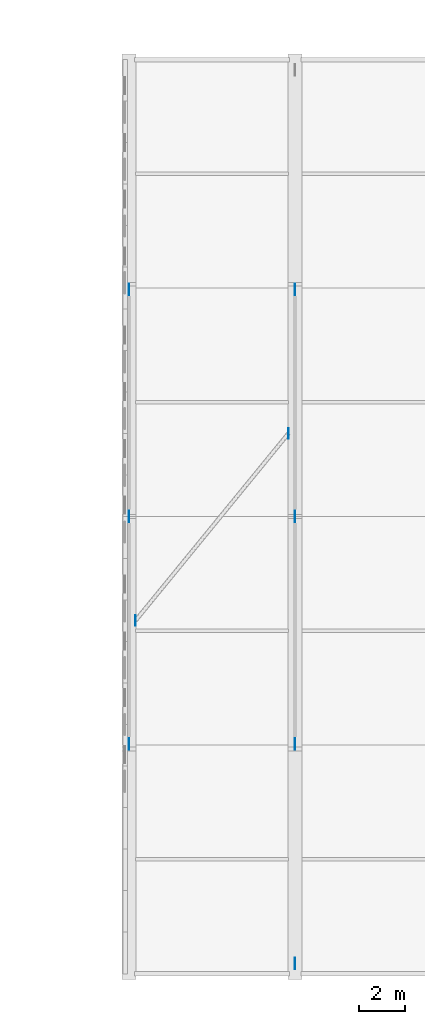
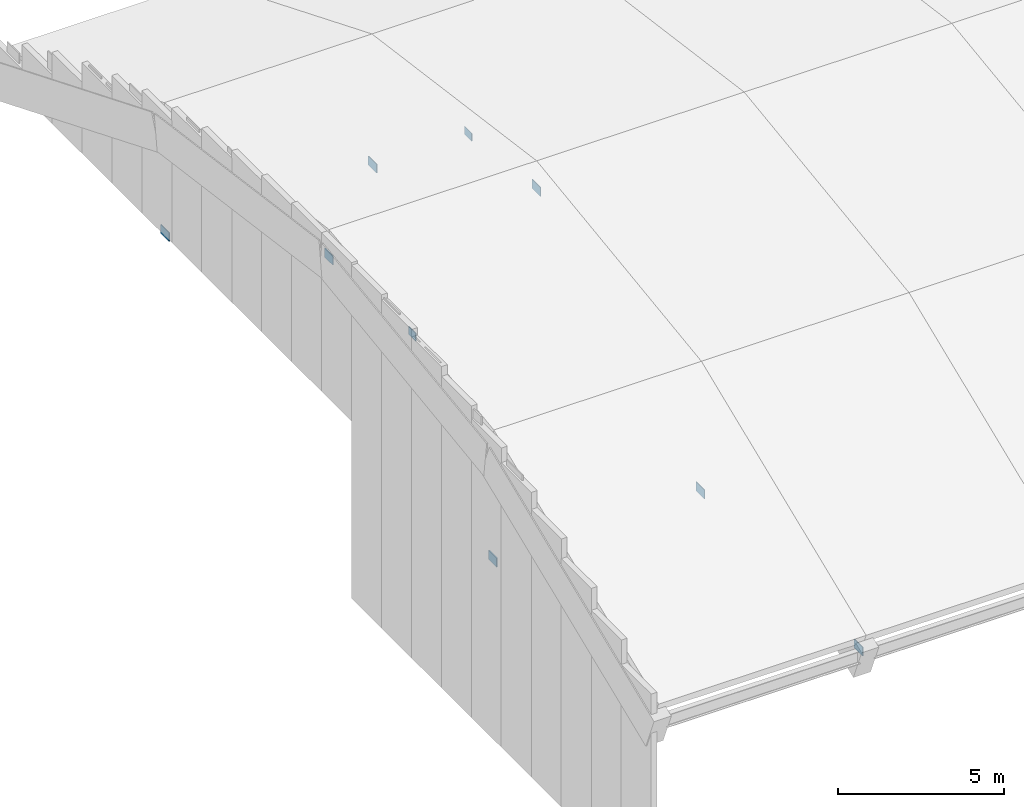
# One storey, part 13 of 22: 9 plates.
"""IFC4 building model written with IfcOpenShell, lengths in metres."""

import ifcopenshell
import ifcopenshell.guid

model = None  # the IFC model being written
_history = None  # IfcOwnerHistory: only IFC2X3 demands one
_inside = {}  # id of a spatial element -> (the spatial element, [elements in it])
_under = {}  # id of a project, library or spatial element -> (it, [spatial elements below it])
_declared = {}  # id of a project -> (the project, [libraries it declares])
_typed = {}  # id of a type object -> (the type object, [elements of that type])
_made_of = {}  # id of a material, layer set ... -> (it, [elements and type objects made of it])


def new_model(schema):
    """Start an empty IFC model of exactly this schema.

    Asked for "IFC4X3", IfcOpenShell would pick the latest addendum, in which some entities
    have other attributes; the version numbers below select the first issue.
    IFC2X3 requires an IfcOwnerHistory on every rooted entity: one is made here for all.
    """
    global model, _history
    if schema == "IFC4X3":
        model = ifcopenshell.file(schema_version=(4, 3, 0, 0))
    else:
        model = ifcopenshell.file(schema=schema)
    _inside.clear()
    _under.clear()
    _declared.clear()
    _typed.clear()
    _made_of.clear()
    _history = None
    if model.schema == "IFC2X3":
        org = make("IfcOrganization", Name="unknown")
        user = make(
            "IfcPersonAndOrganization",
            ThePerson=make("IfcPerson", FamilyName="unknown"),
            TheOrganization=org,
        )
        app = make(
            "IfcApplication",
            ApplicationDeveloper=org,
            Version="unknown",
            ApplicationFullName="unknown",
            ApplicationIdentifier="unknown",
        )
        _history = make(
            "IfcOwnerHistory",
            OwningUser=user,
            OwningApplication=app,
            ChangeAction="ADDED",
            CreationDate=0,
        )
    return model


def make(cls, **values):
    """One entity of the class cls with the attributes given. An attribute that is None is left unset."""
    return model.create_entity(
        cls, **{name: value for name, value in values.items() if value is not None}
    )


def rooted(cls, **values):
    """An entity with a GlobalId (a new one), such as an element, a storey or a relation."""
    return make(cls, GlobalId=ifcopenshell.guid.new(), OwnerHistory=_history, **values)


def si_unit(unit_type, name, prefix=None):
    """IfcSIUnit, for example si_unit("LENGTHUNIT", "METRE", prefix="MILLI")."""
    return make("IfcSIUnit", UnitType=unit_type, Prefix=prefix, Name=name)


def assignment(units):
    """IfcUnitAssignment: the units of a project."""
    return None if units is None else make("IfcUnitAssignment", Units=units)


def point(xyz):
    """IfcCartesianPoint."""
    return None if xyz is None else make("IfcCartesianPoint", Coordinates=xyz)


def direction(xyz):
    """IfcDirection."""
    return None if xyz is None else make("IfcDirection", DirectionRatios=xyz)


def frame(location, z_axis=None, x_axis=None):
    """IfcAxis2Placement3D, a coordinate frame: its origin and axes. An axis left out is left unset."""
    return make(
        "IfcAxis2Placement3D",
        Location=point(location),
        Axis=direction(z_axis),
        RefDirection=direction(x_axis),
    )


def frame_2d(location, x_axis=None):
    """IfcAxis2Placement2D, a coordinate frame in the plane: its origin and x axis."""
    return make(
        "IfcAxis2Placement2D", Location=point(location), RefDirection=direction(x_axis)
    )


def origin():
    """The frame at (0, 0, 0) with its axes left unset."""
    return frame((0.0, 0.0, 0.0))


def origin_2d():
    """The frame at (0, 0) in the plane with its x axis left unset."""
    return frame_2d((0.0, 0.0))


def place(relative_to, where):
    """IfcLocalPlacement: puts the frame where relative to a parent placement (None: the world)."""
    return make(
        "IfcLocalPlacement", PlacementRelTo=relative_to, RelativePlacement=where
    )


def context(
    kind, dimensions, precision=None, world=None, true_north=None, identifier=None
):
    """IfcGeometricRepresentationContext, for example the 3D "Model" context."""
    return make(
        "IfcGeometricRepresentationContext",
        ContextIdentifier=identifier,
        ContextType=kind,
        CoordinateSpaceDimension=dimensions,
        Precision=precision,
        WorldCoordinateSystem=world,
        TrueNorth=true_north,
    )


def subcontext(parent, identifier, kind, view, scale=None):
    """IfcGeometricRepresentationSubContext, for example "Body" below "Model"."""
    return make(
        "IfcGeometricRepresentationSubContext",
        ContextIdentifier=identifier,
        ContextType=kind,
        ParentContext=parent,
        TargetScale=scale,
        TargetView=view,
    )


def project(units=None, contexts=None):
    """IfcProject with its units and contexts."""
    return rooted(
        "IfcProject",
        Name="project",
        RepresentationContexts=contexts,
        UnitsInContext=assignment(units),
    )


def spatial(cls, under=None, at=None, **own):
    """A site, building, storey or space (cls), placed at a placement, below another one or the project."""
    s = rooted(cls, ObjectPlacement=at, **own)
    if under is not None:
        _under.setdefault(under.id(), (under, []))[1].append(s)
    return s


def profile(cls, at=None, kind="AREA", **sizes):
    """A parametric profile (cls). Its sizes go by their IFC names, for example OverallWidth=200.0."""
    return make(cls, ProfileType=kind, Position=at, **sizes)


def rectangle(**sizes):
    """IfcRectangleProfileDef."""
    return profile("IfcRectangleProfileDef", **sizes)


def extrude(swept, where, along, depth):
    """IfcExtrudedAreaSolid: the profile swept, set in the frame where, extruded along a direction by depth."""
    return make(
        "IfcExtrudedAreaSolid",
        SweptArea=swept,
        Position=where,
        ExtrudedDirection=direction(along),
        Depth=depth,
    )


def shape(context_of_items, identifier, shape_type, items):
    """IfcShapeRepresentation: the items that make up one representation, for example the "Body"."""
    return make(
        "IfcShapeRepresentation",
        ContextOfItems=context_of_items,
        RepresentationIdentifier=identifier,
        RepresentationType=shape_type,
        Items=items,
    )


def material(Name=None, Category=None):
    """IfcMaterial."""
    return make("IfcMaterial", Name=Name, Category=Category)


def layer(
    of_material, thickness, ventilated=None, Name=None, Category=None, Priority=None
):
    """IfcMaterialLayer: one layer of a wall or slab, of a material (None: an air gap)."""
    return make(
        "IfcMaterialLayer",
        Material=of_material,
        LayerThickness=thickness,
        IsVentilated=ventilated,
        Name=Name,
        Category=Category,
        Priority=Priority,
    )


def layer_set(layers, Name=None):
    """IfcMaterialLayerSet."""
    return make("IfcMaterialLayerSet", MaterialLayers=layers, LayerSetName=Name)


def made_of(thing, what):
    """Note that an element or type object is made of a material, layer set ...; save() writes the relation."""
    if what is not None:
        _made_of.setdefault(what.id(), (what, []))[1].append(thing)
    return thing


def type_object(cls, material=None, **own):
    """A type object (cls), such as IfcWallType, which elements share."""
    return made_of(rooted(cls, **own), material)


def element(
    cls,
    number,
    at=None,
    inside=None,
    cuts=None,
    type_object=None,
    material=None,
    context=None,
    identifier="Body",
    shape_type=None,
    held_by="IfcProductDefinitionShape",
    body=None,
    shapes=None,
    **own,
):
    """One element of the class cls, such as IfcWall. Its Tag is "e" and its number.

    at: its placement. inside: the storey or other place that contains it. cuts: it is an
    opening in that element (IfcRelVoidsElement). A single representation is given by context,
    identifier, shape_type and body (its items); several are given by shapes. held_by: the class
    of the entity that holds the representations. save() writes the other relations.
    """
    e = rooted(cls, Tag="e%d" % number, ObjectPlacement=at, **own)
    if body is not None:
        shapes = [shape(context, identifier, shape_type, body)]
    if shapes is not None:
        e.Representation = make(held_by, Representations=shapes)
    if inside is not None:
        _inside.setdefault(inside.id(), (inside, []))[1].append(e)
    if cuts is not None:
        rooted(
            "IfcRelVoidsElement", RelatingBuildingElement=cuts, RelatedOpeningElement=e
        )
    if type_object is not None:
        _typed.setdefault(type_object.id(), (type_object, []))[1].append(e)
    return made_of(e, material)


def aggregate(whole, parts):
    """IfcRelAggregates: a whole, such as a stair, and the parts it consists of."""
    return rooted("IfcRelAggregates", RelatingObject=whole, RelatedObjects=parts)


def save(model, path):
    """Write the relations noted so far, then the file.

    IfcRelAggregates (storeys below a building ...), IfcRelContainedInSpatialStructure (elements
    in a storey), IfcRelDefinesByType, IfcRelAssociatesMaterial and IfcRelDeclares: one each for
    every whole, place, type object, material and project.
    """
    for whole, parts in _under.values():
        aggregate(whole, parts)
    for where, things in _inside.values():
        rooted(
            "IfcRelContainedInSpatialStructure",
            RelatedElements=things,
            RelatingStructure=where,
        )
    for kind, things in _typed.values():
        rooted("IfcRelDefinesByType", RelatedObjects=things, RelatingType=kind)
    for what, things in _made_of.values():
        rooted("IfcRelAssociatesMaterial", RelatedObjects=things, RelatingMaterial=what)
    for by, libraries in _declared.values():
        rooted("IfcRelDeclares", RelatingContext=by, RelatedDefinitions=libraries)
    model.write(path)


model = new_model("IFC4")

# Units and contexts
model_context = context("Model", 3, precision=1e-05, world=origin(), true_north=direction((0.0, 1.0)))
body_context = subcontext(model_context, "Body", "Model", "MODEL_VIEW")
ifc_project = project(units=[si_unit("LENGTHUNIT", "METRE"), si_unit("AREAUNIT", "SQUARE_METRE"), si_unit("VOLUMEUNIT", "CUBIC_METRE"), si_unit("PLANEANGLEUNIT", "RADIAN"), si_unit("MASSUNIT", "GRAM", prefix="KILO")], contexts=[model_context])

# Site, building, storey
site_placement = place(None, origin())
site = spatial("IfcSite", under=ifc_project, at=site_placement, CompositionType="ELEMENT")
building_placement = place(site_placement, origin())
building = spatial("IfcBuilding", under=site, at=building_placement, Name="Lusvemor Sports Hall", CompositionType="ELEMENT")
storey_placement = place(building_placement, frame((0.0, 0.0, 23.39990234375)))
storey = spatial("IfcBuildingStorey", under=building, at=storey_placement, Name="Roof", CompositionType="ELEMENT", Elevation=23.39990234375)

# Plates
ifc_material_1 = material(Name="Steel S355", Category="steel")
ifc_layer_1 = layer(ifc_material_1, 0.030029296875)
ifc_layer_set_1 = layer_set([ifc_layer_1], Name="Steel S355")
plate_type_1 = type_object("IfcPlateType", Name="GUSSET_ARCH_B", PredefinedType="USERDEFINED", material=ifc_layer_set_1)
for number, where, z_axis, x_axis, name in (
    (1, (118.800048828125, 9.949951171875, -2.4599609375), (0.0, 0.0, 1.0), (1.0, 0.0, 0.0), "East Arch Web Gusset 13-LF"),
    (2, (118.800048828125, 29.64990234375, -2.4599609375), (0.0, 0.0, 1.0), (1.0, 0.0, 0.0), "East Arch Web Gusset 13-RF"),
    (3, (118.800048828125, 19.800048828125, 2.64501953125), (0.0, 0.0, 1.0), (1.0, 0.0, 0.0), "East Arch Web Gusset 13-CR"),
    (4, (126.0, 0.43994140625, -2.474853515625), (0.0, 0.0, 1.0), (1.0, 0.0, 0.0), "East Arch Springing Gusset 14-S"),
    (5, (126.0, 9.949951171875, -2.474853515625), (0.0, 0.0, 1.0), (1.0, 0.0, 0.0), "East Arch Web Gusset 14-LF"),
    (6, (126.0, 29.64990234375, -2.474853515625), (0.0, 0.0, 1.0), (1.0, 0.0, 0.0), "East Arch Web Gusset 14-RF"),
    (7, (126.0, 19.800048828125, 2.64501953125), (0.0, 0.0, 1.0), (1.0, 0.0, 0.0), "East Arch Web Gusset 14-CR"),
):
    element("IfcPlate", number, at=place(storey_placement, frame(where, z_axis=z_axis, x_axis=x_axis)), inside=storey, type_object=plate_type_1, Name=name, ObjectType="GUSSET_PLATE", PredefinedType="USERDEFINED", context=body_context, shape_type="SweptSolid", body=[
        extrude(rectangle(XDim=0.030029296875, YDim=0.5, at=origin_2d()), origin(), (0.0, 0.0, 1.0), 0.330078125),
    ])
ifc_material_2 = material(Name="Steel S355", Category="steel")
ifc_layer_2 = layer(ifc_material_2, 0.02001953125)
ifc_layer_set_2 = layer_set([ifc_layer_2], Name="Steel S355")
plate_type_2 = type_object("IfcPlateType", Name="GUSSET_BRACE_C", PredefinedType="USERDEFINED", material=ifc_layer_set_2)
for number, where, z_axis, x_axis, name in (
    (8, (119.090087890625, 15.300048828125, 2.466064453125), (0.0, 0.0, 1.0), (1.0, 0.0, 0.0), "East Vault Brace Gusset 13-0"),
    (9, (125.7099609375, 23.39990234375, 2.566650390625), (0.0, 0.0, 1.0), (1.0, 0.0, 0.0), "East Vault Brace Gusset 13-1"),
):
    element("IfcPlate", number, at=place(storey_placement, frame(where, z_axis=z_axis, x_axis=x_axis)), inside=storey, type_object=plate_type_2, Name=name, ObjectType="GUSSET_PLATE", PredefinedType="USERDEFINED", context=body_context, shape_type="SweptSolid", body=[
        extrude(rectangle(XDim=0.02001953125, YDim=0.43994140625, at=origin_2d()), origin(), (0.0, 0.0, 1.0), 0.2900390625),
    ])

save(model, "model.ifc")
